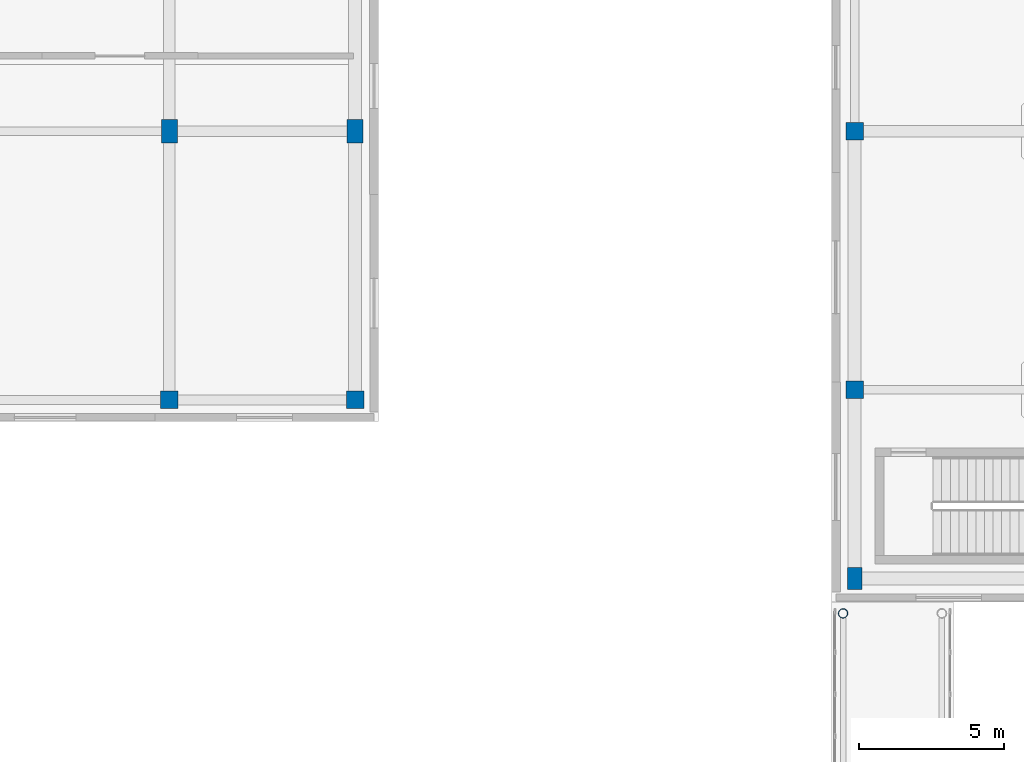
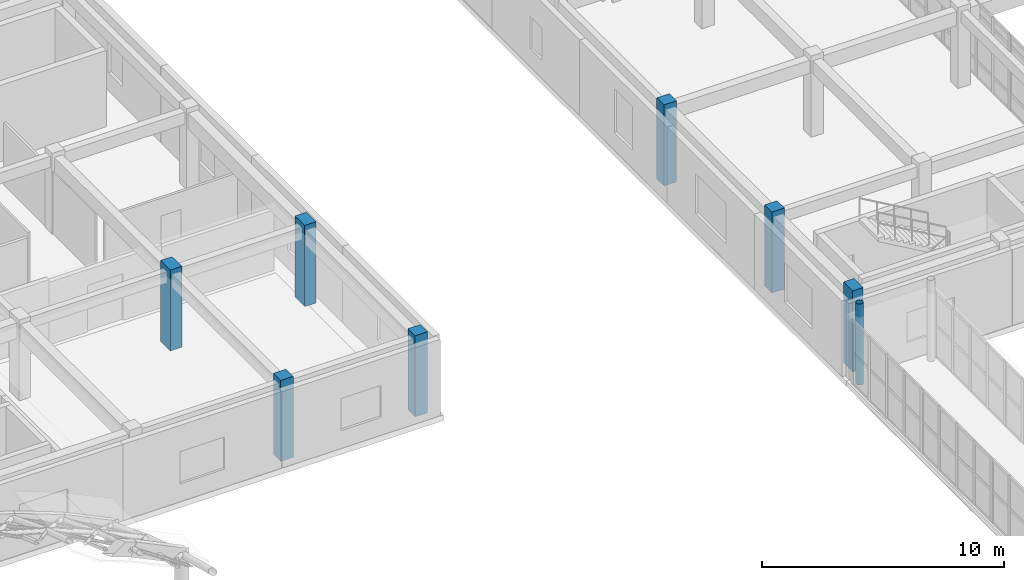
# One storey, part 10 of 146: 8 columns.
"""IFC4 building model written with IfcOpenShell, lengths in metres."""

from ifc_helpers import new_model, si_unit, direction, frame, origin, origin_2d, place, context, subcontext, project, spatial, rectangle, hollow_circle, extrude, material, material_profile, profile_set, type_object, element, save


model = new_model("IFC4")

# Units and contexts
model_context = context("Model", 3, precision=1e-05, world=origin(), true_north=direction((0.0, 1.0)))
body_context = subcontext(model_context, "Body", "Model", "MODEL_VIEW")
ifc_project = project(units=[si_unit("LENGTHUNIT", "METRE"), si_unit("AREAUNIT", "SQUARE_METRE"), si_unit("VOLUMEUNIT", "CUBIC_METRE"), si_unit("PLANEANGLEUNIT", "RADIAN"), si_unit("MASSUNIT", "GRAM", prefix="KILO")], contexts=[model_context])

# Site, building, storey
site_placement = place(None, origin())
site = spatial("IfcSite", under=ifc_project, at=site_placement, CompositionType="ELEMENT")
building_placement = place(site_placement, origin())
building = spatial("IfcBuilding", under=site, at=building_placement, Name="Valcora Specialist Clinic", CompositionType="ELEMENT")
storey_placement = place(building_placement, frame((0.0, 0.0, 9.52001953125)))
storey = spatial("IfcBuildingStorey", under=building, at=storey_placement, Name="L02", CompositionType="ELEMENT", Elevation=9.52001953125)

# Columns
ifc_material_1 = material(Name="Steel ASTM A500 Grade C", Category="steel")
ifc_material_profile_1 = material_profile(ifc_material_1, hollow_circle(Radius=0.162109375, WallThickness=0.011962890625, at=origin_2d()), Name="ST-CHS-324X12")
ifc_profile_set_1 = profile_set([ifc_material_profile_1], Name="Steel ASTM A500 Grade C")
column_type_1 = type_object("IfcColumnType", Name="TY-COL-CHS324", PredefinedType="COLUMN", material=ifc_profile_set_1)
column_1_placement = place(storey_placement, frame((61.60009765625, 73.60009765625, 0.0), z_axis=(0.0, 0.0, 1.0), x_axis=(1.0, 0.0, 0.0)))
element("IfcColumn", 1, at=column_1_placement, inside=storey, type_object=column_type_1, Name="Column COL-L02-0980", PredefinedType="COLUMN", context=body_context, shape_type="SweptSolid", body=[
    extrude(hollow_circle(Radius=0.162109375, WallThickness=0.011962890625, at=origin_2d()), origin(), (0.0, 0.0, 1.0), 4.080078125),
])
ifc_material_2 = material(Name="Concrete C40/50", Category="concrete")
ifc_material_profile_2 = material_profile(ifc_material_2, rectangle(XDim=0.5, YDim=0.75, at=origin_2d()), Name="RC-COL-500X750")
ifc_profile_set_2 = profile_set([ifc_material_profile_2], Name="Concrete C40/50")
column_type_2 = type_object("IfcColumnType", Name="TY-COL-RC500X750", PredefinedType="COLUMN", material=ifc_profile_set_2)
column_2_placement = place(storey_placement, frame((62.0, 74.800048828125, 0.0), z_axis=(0.0, 0.0, 1.0), x_axis=(1.0, 0.0, 0.0)))
element("IfcColumn", 2, at=column_2_placement, inside=storey, type_object=column_type_2, Name="Column COL-L02-0304", PredefinedType="COLUMN", context=body_context, shape_type="SweptSolid", body=[
    extrude(rectangle(XDim=0.5, YDim=0.75, at=origin_2d()), origin(), (0.0, 0.0, 1.0), 4.080078125),
])
ifc_material_profile_3 = material_profile(ifc_material_2, rectangle(XDim=0.550048828125, YDim=0.800048828125, at=origin_2d()), Name="RC-COL-550X800")
ifc_profile_set_3 = profile_set([ifc_material_profile_3], Name="Concrete C40/50")
column_type_3 = type_object("IfcColumnType", Name="TY-COL-RC550X800", PredefinedType="COLUMN", material=ifc_profile_set_3)
for number, where, z_axis, x_axis, name in (
    (3, (38.39990234375, 90.199951171875, 0.0), (0.0, 0.0, 1.0), (1.0, 0.0, 0.0), "Column COL-L02-0212"),
    (4, (44.800048828125, 90.199951171875, 0.0), (0.0, 0.0, 1.0), (1.0, 0.0, 0.0), "Column COL-L02-0228"),
):
    element("IfcColumn", number, at=place(storey_placement, frame(where, z_axis=z_axis, x_axis=x_axis)), inside=storey, type_object=column_type_3, Name=name, PredefinedType="COLUMN", context=body_context, shape_type="SweptSolid", body=[
        extrude(rectangle(XDim=0.550048828125, YDim=0.800048828125, at=origin_2d()), origin(), (0.0, 0.0, 1.0), 4.080078125),
    ])
ifc_material_profile_4 = material_profile(ifc_material_2, rectangle(XDim=0.60009765625, YDim=0.60009765625, at=origin_2d()), Name="RC-COL-600X600")
ifc_profile_set_4 = profile_set([ifc_material_profile_4], Name="Concrete C40/50")
column_type_4 = type_object("IfcColumnType", Name="TY-COL-RC600", PredefinedType="COLUMN", material=ifc_profile_set_4)
for number, where, z_axis, x_axis, name in (
    (5, (38.39990234375, 80.949951171875, 0.0), (0.0, 0.0, 1.0), (1.0, 0.0, 0.0), "Column COL-L02-0208"),
    (6, (44.800048828125, 80.949951171875, 0.0), (0.0, 0.0, 1.0), (1.0, 0.0, 0.0), "Column COL-L02-0224"),
    (7, (62.0, 81.300048828125, 0.0), (0.0, 0.0, 1.0), (1.0, 0.0, 0.0), "Column COL-L02-0309"),
    (8, (62.0, 90.199951171875, 0.0), (0.0, 0.0, 1.0), (1.0, 0.0, 0.0), "Column COL-L02-0314"),
):
    element("IfcColumn", number, at=place(storey_placement, frame(where, z_axis=z_axis, x_axis=x_axis)), inside=storey, type_object=column_type_4, Name=name, PredefinedType="COLUMN", context=body_context, shape_type="SweptSolid", body=[
        extrude(rectangle(XDim=0.60009765625, YDim=0.60009765625, at=origin_2d()), origin(), (0.0, 0.0, 1.0), 4.080078125),
    ])

save(model, "model.ifc")
